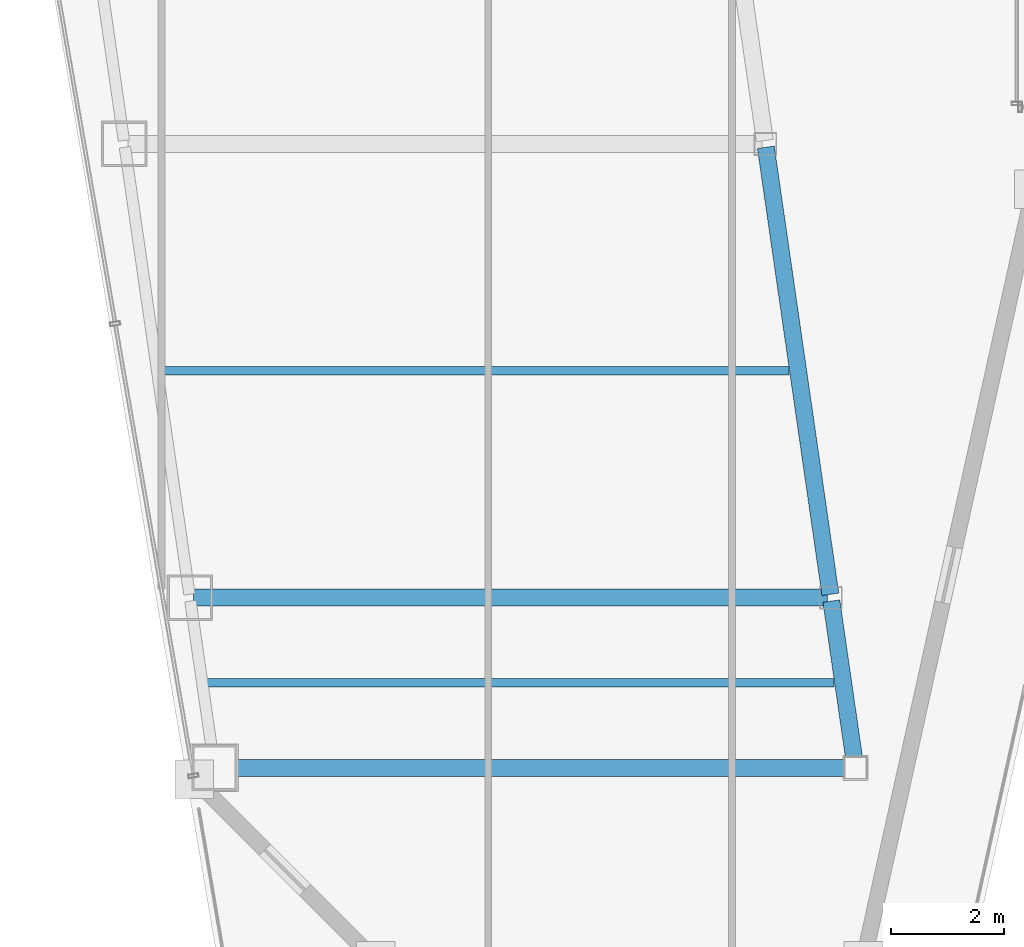
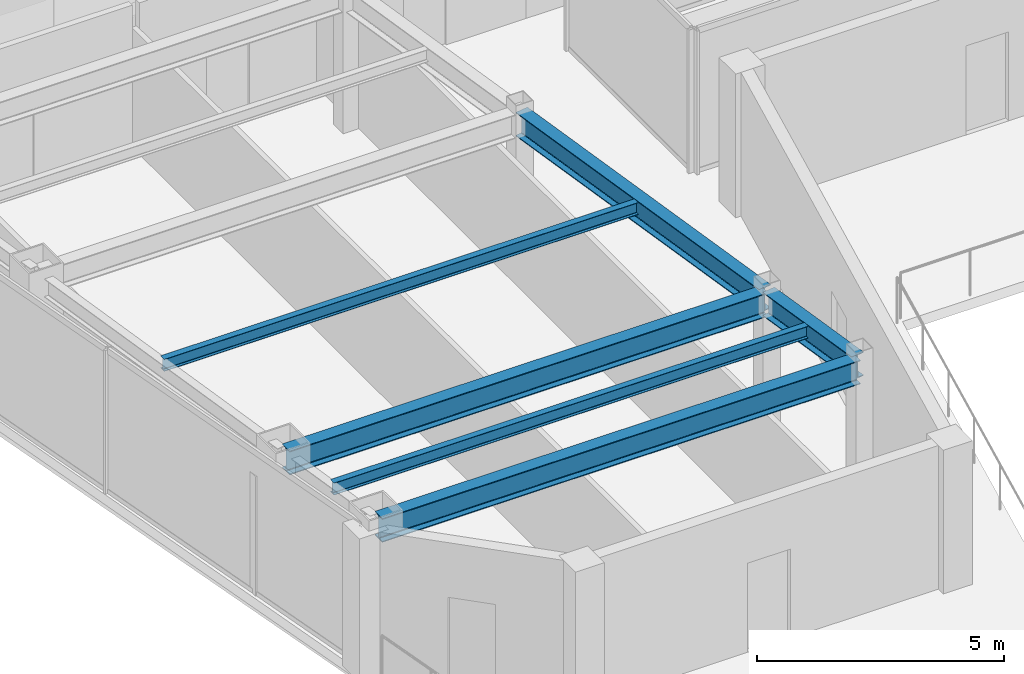
# One storey, part 4 of 31: 6 beams.
"""IFC4 building model written with IfcOpenShell, lengths in metres."""

from ifc_helpers import new_model, si_unit, direction, frame, origin, origin_2d, place, context, subcontext, project, spatial, i_section, extrude, material, material_profile, profile_set, type_object, element, save


model = new_model("IFC4")

# Units and contexts
model_context = context("Model", 3, precision=1e-05, world=origin(), true_north=direction((0.0, 1.0)))
body_context = subcontext(model_context, "Body", "Model", "MODEL_VIEW")
ifc_project = project(units=[si_unit("LENGTHUNIT", "METRE"), si_unit("AREAUNIT", "SQUARE_METRE"), si_unit("VOLUMEUNIT", "CUBIC_METRE"), si_unit("PLANEANGLEUNIT", "RADIAN"), si_unit("MASSUNIT", "GRAM", prefix="KILO")], contexts=[model_context])

# Site, building, storey
site_placement = place(None, origin())
site = spatial("IfcSite", under=ifc_project, at=site_placement, CompositionType="ELEMENT")
building_placement = place(site_placement, origin())
building = spatial("IfcBuilding", under=site, at=building_placement, Name="Saevonmaru Cultural Tower", CompositionType="ELEMENT")
storey_placement = place(building_placement, frame((0.0, 0.0, 230.60009765625)))
storey = spatial("IfcBuildingStorey", under=building, at=storey_placement, Name="L53", CompositionType="ELEMENT", Elevation=230.60009765625)

# Beams
ifc_material = material(Name="Steel SM355", Category="steel")
ifc_material_profile_1 = material_profile(ifc_material, i_section(OverallWidth=0.300048828125, OverallDepth=0.587890625, WebThickness=0.011962890625, FlangeThickness=0.02001953125, FilletRadius=0.02392578125, at=origin_2d()), Name="H-588x300x12x20")
ifc_profile_set_1 = profile_set([ifc_material_profile_1], Name="Steel SM355")
beam_type_1 = type_object("IfcBeamType", Name="BM-G-H588", PredefinedType="BEAM", material=ifc_profile_set_1)
beam_1_placement = place(storey_placement, frame((21.197509765625, 21.059326171875, 3.255859375), z_axis=(-0.143229094195, 0.989689560709, 0.0), x_axis=(-0.989689560709, -0.143229094195, 0.0)))
element("IfcBeam", 1, at=beam_1_placement, inside=storey, type_object=beam_type_1, Name="L53 West Atrium Girder 1", PredefinedType="BEAM", context=body_context, shape_type="SweptSolid", body=[
    extrude(i_section(OverallWidth=0.300048828125, OverallDepth=0.587890625, WebThickness=0.011962890625, FlangeThickness=0.02001953125, FilletRadius=0.02392578125, at=origin_2d()), origin(), (0.0, 0.0, 1.0), 2.911376953125),
])
beam_2_placement = place(storey_placement, frame((20.763427734375, 24.059326171875, 3.255859375), z_axis=(-0.142902032203, 0.989736838353, 0.0), x_axis=(-0.989736838353, -0.142902032203, 0.0)))
element("IfcBeam", 2, at=beam_2_placement, inside=storey, type_object=beam_type_1, Name="L53 West Atrium Girder 2", PredefinedType="BEAM", context=body_context, shape_type="SweptSolid", body=[
    extrude(i_section(OverallWidth=0.300048828125, OverallDepth=0.587890625, WebThickness=0.011962890625, FlangeThickness=0.02001953125, FilletRadius=0.02392578125, at=origin_2d()), origin(), (0.0, 0.0, 1.0), 7.963134765625),
])
for number, where, z_axis, x_axis, name in (
    (3, (9.966064453125, 21.0, 3.255859375), (1.0, 0.0, 0.0), (0.0, 1.0, 0.0), "L53 West Wing Transverse Girder 1"),
    (4, (9.531982421875, 24.0, 3.255859375), (1.0, 0.0, 0.0), (0.0, 1.0, 0.0), "L53 West Wing Transverse Girder 2"),
):
    element("IfcBeam", number, at=place(storey_placement, frame(where, z_axis=z_axis, x_axis=x_axis)), inside=storey, type_object=beam_type_1, Name=name, PredefinedType="BEAM", context=body_context, shape_type="SweptSolid", body=[
        extrude(i_section(OverallWidth=0.300048828125, OverallDepth=0.587890625, WebThickness=0.011962890625, FlangeThickness=0.02001953125, FilletRadius=0.02392578125, at=origin_2d()), origin(), (0.0, 0.0, 1.0), 11.179931640625),
    ])
ifc_material_profile_2 = material_profile(ifc_material, i_section(OverallWidth=0.14990234375, OverallDepth=0.300048828125, WebThickness=0.006591796875, FlangeThickness=0.009033203125, FilletRadius=0.012939453125, at=origin_2d()), Name="H-300x150x6.5x9")
ifc_profile_set_2 = profile_set([ifc_material_profile_2], Name="Steel SM355")
beam_type_2 = type_object("IfcBeamType", Name="BM-J-H300", PredefinedType="JOIST", material=ifc_profile_set_2)
for number, where, z_axis, x_axis, name in (
    (5, (9.7490234375, 22.5, 3.39990234375), (1.0, 0.0, 0.0), (0.0, 1.0, 0.0), "L53 West Wing Floor Joist 1"),
    (6, (8.95458984375, 28.0, 3.39990234375), (1.0, 0.0, 0.0), (0.0, 1.0, 0.0), "L53 West Wing Floor Joist 2"),
):
    element("IfcBeam", number, at=place(storey_placement, frame(where, z_axis=z_axis, x_axis=x_axis)), inside=storey, type_object=beam_type_2, Name=name, PredefinedType="JOIST", context=body_context, shape_type="SweptSolid", body=[
        extrude(i_section(OverallWidth=0.14990234375, OverallDepth=0.300048828125, WebThickness=0.006591796875, FlangeThickness=0.009033203125, FilletRadius=0.012939453125, at=origin_2d()), origin(), (0.0, 0.0, 1.0), 11.08203125),
    ])

save(model, "model.ifc")
